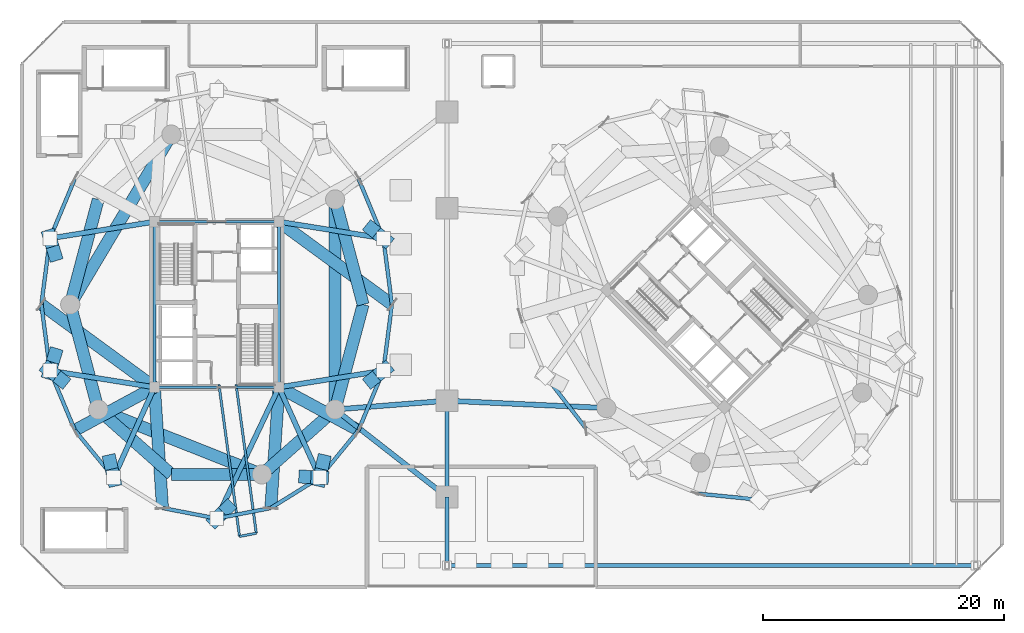
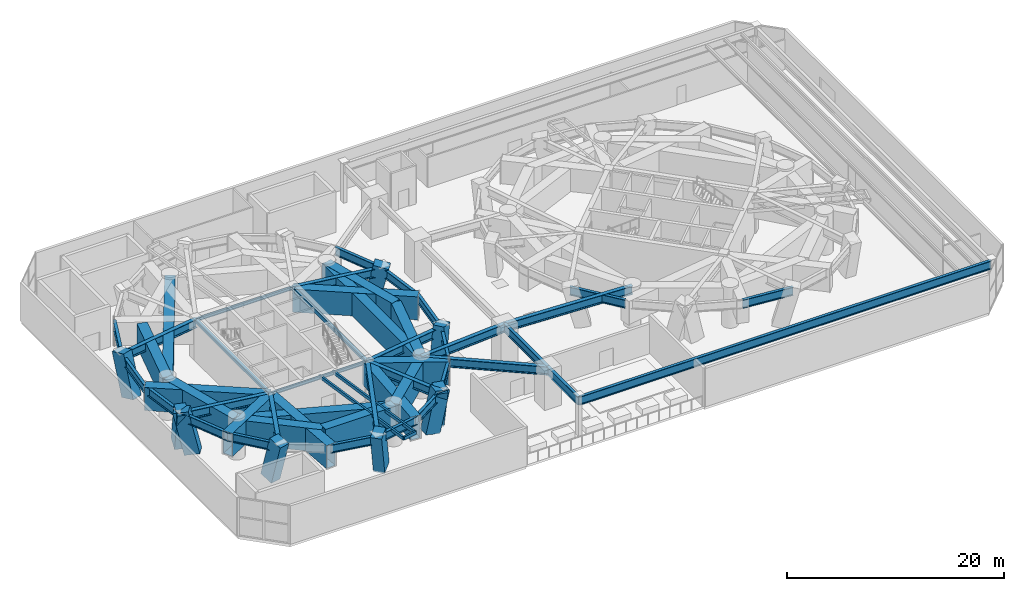
# One storey, part 4 of 25: 51 beams, 9 members.
"""IFC4 building model written with IfcOpenShell, lengths in metres."""

from ifc_helpers import new_model, si_unit, direction, frame, origin, origin_2d, place, context, subcontext, project, spatial, rectangle, hollow_rectangle, i_section, extrude, material, material_profile, profile_set, type_object, element, save


model = new_model("IFC4")

# Units and contexts
model_context = context("Model", 3, precision=1e-05, world=origin(), true_north=direction((0.0, 1.0)))
body_context = subcontext(model_context, "Body", "Model", "MODEL_VIEW")
ifc_project = project(units=[si_unit("LENGTHUNIT", "METRE"), si_unit("AREAUNIT", "SQUARE_METRE"), si_unit("VOLUMEUNIT", "CUBIC_METRE"), si_unit("PLANEANGLEUNIT", "RADIAN"), si_unit("MASSUNIT", "GRAM", prefix="KILO")], contexts=[model_context])

# Site, building, storey
site_placement = place(None, origin())
site = spatial("IfcSite", under=ifc_project, at=site_placement, CompositionType="ELEMENT")
building_placement = place(site_placement, origin())
building = spatial("IfcBuilding", under=site, at=building_placement, Name="Cununo Teusaquillo Station Towers", CompositionType="ELEMENT")
storey_placement = place(building_placement, frame((0.0, 0.0, 17.39990234375)))
storey = spatial("IfcBuildingStorey", under=building, at=storey_placement, Name="L04", CompositionType="ELEMENT", Elevation=17.39990234375)

# Beams
ifc_material_1 = material(Name="Steel EN 10025-2 S355J2", Category="steel")
ifc_material_profile_1 = material_profile(ifc_material_1, hollow_rectangle(XDim=0.199951171875, YDim=0.35009765625, WallThickness=0.013916015625, at=origin_2d()), Name="RHS 350x200x14")
ifc_profile_set_1 = profile_set([ifc_material_profile_1], Name="Steel EN 10025-2 S355J2")
beam_type_1 = type_object("IfcBeamType", Name="BM-BAL-CANT", PredefinedType="BEAM", material=ifc_profile_set_1)
beam_1_placement = place(storey_placement, frame((16.6875, 17.85009765625, 4.1650390625), z_axis=(0.1343260621, -0.990937187233, 0.0), x_axis=(0.990937187233, 0.1343260621, 0.0)))
element("IfcBeam", 1, at=beam_1_placement, inside=storey, type_object=beam_type_1, Name="L04 Tower A Balcony Cantilever Bracket 2A", PredefinedType="BEAM", context=body_context, shape_type="SweptSolid", body=[
    extrude(hollow_rectangle(XDim=0.199951171875, YDim=0.35009765625, WallThickness=0.013916015625, at=origin_2d()), origin(), (0.0, 0.0, 1.0), 12.748046875),
])
beam_2_placement = place(storey_placement, frame((18.115478515625, 17.85009765625, 4.1650390625), z_axis=(0.134333385501, -0.990936194485, 0.0), x_axis=(0.990936194485, 0.134333385501, 0.0)))
element("IfcBeam", 2, at=beam_2_placement, inside=storey, type_object=beam_type_1, Name="L04 Tower A Balcony Cantilever Bracket 2B", PredefinedType="BEAM", context=body_context, shape_type="SweptSolid", body=[
    extrude(hollow_rectangle(XDim=0.199951171875, YDim=0.35009765625, WallThickness=0.013916015625, at=origin_2d()), origin(), (0.0, 0.0, 1.0), 12.4765625),
])
ifc_material_2 = material(Name="Steel EN 10025-2 S355J2", Category="steel")
ifc_material_profile_2 = material_profile(ifc_material_2, hollow_rectangle(XDim=0.25, YDim=0.449951171875, WallThickness=0.01611328125, at=origin_2d()), Name="RHS 450x250x16")
ifc_profile_set_2 = profile_set([ifc_material_profile_2], Name="Steel EN 10025-2 S355J2")
beam_type_2 = type_object("IfcBeamType", Name="BM-COUP-1", PredefinedType="USERDEFINED", material=ifc_profile_set_2)
for number, where, z_axis, x_axis, name in (
    (3, (11.324951171875, 17.6201171875, 4.114990234375), (0.0, 1.0, 0.0), (-1.0, 0.0, 0.0), "L04 Tower A Core Beam 1"),
    (4, (21.675048828125, 17.6201171875, 4.114990234375), (0.0, 1.0, 0.0), (-1.0, 0.0, 0.0), "L04 Tower A Core Beam 2"),
):
    element("IfcBeam", number, at=place(storey_placement, frame(where, z_axis=z_axis, x_axis=x_axis)), inside=storey, type_object=beam_type_2, Name=name, ObjectType="COUPLING BEAM", PredefinedType="USERDEFINED", context=body_context, shape_type="SweptSolid", body=[
        extrude(hollow_rectangle(XDim=0.25, YDim=0.449951171875, WallThickness=0.01611328125, at=origin_2d()), origin(), (0.0, 0.0, 1.0), 13.759765625),
    ])
ifc_material_3 = material(Name="Steel ASTM A572 Grade 50", Category="steel")
ifc_material_profile_3 = material_profile(ifc_material_3, i_section(OverallWidth=0.2041015625, OverallDepth=0.35009765625, WebThickness=0.008544921875, FlangeThickness=0.01513671875, FilletRadius=0.011962890625, at=origin_2d()), Name="W14X48")
ifc_profile_set_3 = profile_set([ifc_material_profile_3], Name="Steel ASTM A572 Grade 50")
beam_type_3 = type_object("IfcBeamType", Name="BM-LINTEL-1", PredefinedType="LINTEL", material=ifc_profile_set_3)
for number, where, z_axis, x_axis, name in (
    (5, (11.324951171875, 17.6201171875, 4.1650390625), (1.0, 0.0, 0.0), (0.0, 1.0, 0.0), "L04 Tower A Core Beam 3"),
    (6, (11.324951171875, 31.3798828125, 4.1650390625), (1.0, 0.0, 0.0), (0.0, 1.0, 0.0), "L04 Tower A Core Beam 4"),
):
    element("IfcBeam", number, at=place(storey_placement, frame(where, z_axis=z_axis, x_axis=x_axis)), inside=storey, type_object=beam_type_3, Name=name, PredefinedType="LINTEL", context=body_context, shape_type="SweptSolid", body=[
        extrude(i_section(OverallWidth=0.2041015625, OverallDepth=0.35009765625, WebThickness=0.008544921875, FlangeThickness=0.01513671875, FilletRadius=0.011962890625, at=origin_2d()), origin(), (0.0, 0.0, 1.0), 10.35009765625),
    ])
ifc_material_4 = material(Name="Steel ASTM A572 Grade 50", Category="steel")
ifc_material_profile_4 = material_profile(ifc_material_4, i_section(OverallWidth=0.30810546875, OverallDepth=0.943115234375, WebThickness=0.022216796875, FlangeThickness=0.039794921875, FilletRadius=0.02392578125, at=origin_2d()), Name="W36X232")
ifc_profile_set_4 = profile_set([ifc_material_profile_4], Name="Steel ASTM A572 Grade 50")
beam_type_4 = type_object("IfcBeamType", Name="BM-POD-SEC", PredefinedType="BEAM", material=ifc_profile_set_4)
beam_3_placement = place(storey_placement, frame((31.071044921875, 24.5, 3.8681640625), z_axis=(-0.1286462709, 0.99169054497, 0.0), x_axis=(-0.99169054497, -0.1286462709, 0.0)))
element("IfcBeam", 7, at=beam_3_placement, inside=storey, type_object=beam_type_4, Name="L04 Tower A Outer Diagrid Shoe Ring Girder 01", PredefinedType="BEAM", context=body_context, shape_type="SweptSolid", body=[
    extrude(i_section(OverallWidth=0.30810546875, OverallDepth=0.943115234375, WebThickness=0.022216796875, FlangeThickness=0.039794921875, FilletRadius=0.02392578125, at=origin_2d()), origin(), (0.0, 0.0, 1.0), 5.54345703125),
])
for number, where, z_axis, x_axis, name in (
    (8, (30.35791015625, 29.997314453125, 3.8681640625), (-0.385150795909, 0.922853652759, 0.0), (-0.922853652759, -0.385150795909, 0.0), "L04 Tower A Outer Diagrid Shoe Ring Girder 02"),
    (9, (4.7119140625, 34.956787109375, 3.8681640625), (-0.385150795909, -0.922853652759, 0.0), (0.922853652759, -0.385150795909, 0.0), "L04 Tower A Outer Diagrid Shoe Ring Girder 09"),
):
    element("IfcBeam", number, at=place(storey_placement, frame(where, z_axis=z_axis, x_axis=x_axis)), inside=storey, type_object=beam_type_4, Name=name, PredefinedType="BEAM", context=body_context, shape_type="SweptSolid", body=[
        extrude(i_section(OverallWidth=0.30810546875, OverallDepth=0.943115234375, WebThickness=0.022216796875, FlangeThickness=0.039794921875, FilletRadius=0.02392578125, at=origin_2d()), origin(), (0.0, 0.0, 1.0), 5.3740234375),
    ])
for number, where, z_axis, x_axis, name in (
    (10, (2.64208984375, 29.997314453125, 3.8681640625), (-0.1286462709, -0.99169054497, 0.0), (0.99169054497, -0.1286462709, 0.0), "L04 Tower A Outer Diagrid Shoe Ring Girder 10"),
    (11, (1.928955078125, 24.5, 3.8681640625), (0.1286462709, -0.99169054497, 0.0), (0.99169054497, 0.1286462709, 0.0), "L04 Tower A Outer Diagrid Shoe Ring Girder 11"),
):
    element("IfcBeam", number, at=place(storey_placement, frame(where, z_axis=z_axis, x_axis=x_axis)), inside=storey, type_object=beam_type_4, Name=name, PredefinedType="BEAM", context=body_context, shape_type="SweptSolid", body=[
        extrude(i_section(OverallWidth=0.30810546875, OverallDepth=0.943115234375, WebThickness=0.022216796875, FlangeThickness=0.039794921875, FilletRadius=0.02392578125, at=origin_2d()), origin(), (0.0, 0.0, 1.0), 5.54345703125),
    ])
beam_4_placement = place(storey_placement, frame((2.64208984375, 19.002685546875, 3.8681640625), z_axis=(0.385150795909, -0.922853652759, 0.0), x_axis=(0.922853652759, 0.385150795909, 0.0)))
element("IfcBeam", 12, at=beam_4_placement, inside=storey, type_object=beam_type_4, Name="L04 Tower A Outer Diagrid Shoe Ring Girder 12", PredefinedType="BEAM", context=body_context, shape_type="SweptSolid", body=[
    extrude(i_section(OverallWidth=0.30810546875, OverallDepth=0.943115234375, WebThickness=0.022216796875, FlangeThickness=0.039794921875, FilletRadius=0.02392578125, at=origin_2d()), origin(), (0.0, 0.0, 1.0), 5.3740234375),
])
beam_5_placement = place(storey_placement, frame((4.7119140625, 14.043212890625, 3.8681640625), z_axis=(0.633637559371, -0.77363004295, 0.0), x_axis=(0.77363004295, 0.633637559371, 0.0)))
element("IfcBeam", 13, at=beam_5_placement, inside=storey, type_object=beam_type_4, Name="L04 Tower A Outer Diagrid Shoe Ring Girder 13", PredefinedType="BEAM", context=body_context, shape_type="SweptSolid", body=[
    extrude(i_section(OverallWidth=0.30810546875, OverallDepth=0.943115234375, WebThickness=0.022216796875, FlangeThickness=0.039794921875, FilletRadius=0.02392578125, at=origin_2d()), origin(), (0.0, 0.0, 1.0), 5.087158203125),
])
for number, where, z_axis, x_axis, name in (
    (14, (11.997314453125, 7.580810546875, 3.8681640625), (0.981805791302, -0.189887830482, 0.0), (0.189887830482, 0.981805791302, 0.0), "L04 Tower A Outer Diagrid Shoe Ring Girder 15"),
    (15, (16.5, 6.7099609375, 3.8681640625), (0.981805791302, 0.189887830482, 0.0), (-0.189887830482, 0.981805791302, 0.0), "L04 Tower A Outer Diagrid Shoe Ring Girder 16"),
):
    element("IfcBeam", number, at=place(storey_placement, frame(where, z_axis=z_axis, x_axis=x_axis)), inside=storey, type_object=beam_type_4, Name=name, PredefinedType="BEAM", context=body_context, shape_type="SweptSolid", body=[
        extrude(i_section(OverallWidth=0.30810546875, OverallDepth=0.943115234375, WebThickness=0.022216796875, FlangeThickness=0.039794921875, FilletRadius=0.02392578125, at=origin_2d()), origin(), (0.0, 0.0, 1.0), 4.586181640625),
    ])
beam_6_placement = place(storey_placement, frame((21.002685546875, 7.580810546875, 3.8681640625), z_axis=(0.849114591758, 0.528208680412, 0.0), x_axis=(-0.528208680412, 0.849114591758, 0.0)))
element("IfcBeam", 16, at=beam_6_placement, inside=storey, type_object=beam_type_4, Name="L04 Tower A Outer Diagrid Shoe Ring Girder 17", PredefinedType="BEAM", context=body_context, shape_type="SweptSolid", body=[
    extrude(i_section(OverallWidth=0.30810546875, OverallDepth=0.943115234375, WebThickness=0.022216796875, FlangeThickness=0.039794921875, FilletRadius=0.02392578125, at=origin_2d()), origin(), (0.0, 0.0, 1.0), 4.783935546875),
])
beam_7_placement = place(storey_placement, frame((25.064697265625, 10.107666015625, 3.8681640625), z_axis=(0.633637559371, 0.77363004295, 0.0), x_axis=(-0.77363004295, 0.633637559371, 0.0)))
element("IfcBeam", 17, at=beam_7_placement, inside=storey, type_object=beam_type_4, Name="L04 Tower A Outer Diagrid Shoe Ring Girder 18", PredefinedType="BEAM", context=body_context, shape_type="SweptSolid", body=[
    extrude(i_section(OverallWidth=0.30810546875, OverallDepth=0.943115234375, WebThickness=0.022216796875, FlangeThickness=0.039794921875, FilletRadius=0.02392578125, at=origin_2d()), origin(), (0.0, 0.0, 1.0), 5.087158203125),
])
beam_8_placement = place(storey_placement, frame((28.2880859375, 14.043212890625, 3.8681640625), z_axis=(0.385150795909, 0.922853652759, 0.0), x_axis=(-0.922853652759, 0.385150795909, 0.0)))
element("IfcBeam", 18, at=beam_8_placement, inside=storey, type_object=beam_type_4, Name="L04 Tower A Outer Diagrid Shoe Ring Girder 19", PredefinedType="BEAM", context=body_context, shape_type="SweptSolid", body=[
    extrude(i_section(OverallWidth=0.30810546875, OverallDepth=0.943115234375, WebThickness=0.022216796875, FlangeThickness=0.039794921875, FilletRadius=0.02392578125, at=origin_2d()), origin(), (0.0, 0.0, 1.0), 5.3740234375),
])
for number, where, z_axis, x_axis, name in (
    (19, (30.35791015625, 19.002685546875, 3.8681640625), (0.1286462709, 0.99169054497, 0.0), (-0.99169054497, 0.1286462709, 0.0), "L04 Tower A Outer Diagrid Shoe Ring Girder 20"),
    (20, (43.813720703125, 18.58837890625, 3.8681640625), (0.610266107982, -0.792196489167, 0.0), (0.792196489167, 0.610266107982, 0.0), "L04 Tower B Outer Diagrid Shoe Ring Girder 10"),
):
    element("IfcBeam", number, at=place(storey_placement, frame(where, z_axis=z_axis, x_axis=x_axis)), inside=storey, type_object=beam_type_4, Name=name, PredefinedType="BEAM", context=body_context, shape_type="SweptSolid", body=[
        extrude(i_section(OverallWidth=0.30810546875, OverallDepth=0.943115234375, WebThickness=0.022216796875, FlangeThickness=0.039794921875, FilletRadius=0.02392578125, at=origin_2d()), origin(), (0.0, 0.0, 1.0), 5.54345703125),
    ])
beam_9_placement = place(storey_placement, frame((56.55859375, 8.7705078125, 3.8681640625), z_axis=(0.995086956443, -0.0990047934, 0.0), x_axis=(0.0990047934, 0.995086956443, 0.0)))
element("IfcBeam", 21, at=beam_9_placement, inside=storey, type_object=beam_type_4, Name="L04 Tower B Outer Diagrid Shoe Ring Girder 13", PredefinedType="BEAM", context=body_context, shape_type="SweptSolid", body=[
    extrude(i_section(OverallWidth=0.30810546875, OverallDepth=0.943115234375, WebThickness=0.022216796875, FlangeThickness=0.039794921875, FilletRadius=0.02392578125, at=origin_2d()), origin(), (0.0, 0.0, 1.0), 5.087158203125),
])
beam_10_placement = place(storey_placement, frame((35.64990234375, 2.800048828125, 3.86865234375), z_axis=(0.0, 1.0, 0.0), x_axis=(-1.0, 0.0, 0.0)))
element("IfcBeam", 22, at=beam_10_placement, inside=storey, type_object=beam_type_4, Name="L04 Station Podium Girder NS-1", PredefinedType="BEAM", context=body_context, shape_type="SweptSolid", body=[
    extrude(i_section(OverallWidth=0.30810546875, OverallDepth=0.943115234375, WebThickness=0.022216796875, FlangeThickness=0.039794921875, FilletRadius=0.02392578125, at=origin_2d()), origin(), (0.0, 0.0, 1.0), 5.699951171875),
])
beam_11_placement = place(storey_placement, frame((35.64990234375, 8.5, 3.86865234375), z_axis=(0.0, 1.0, 0.0), x_axis=(-1.0, 0.0, 0.0)))
element("IfcBeam", 23, at=beam_11_placement, inside=storey, type_object=beam_type_4, Name="L04 Station Podium Girder NS-2", PredefinedType="BEAM", context=body_context, shape_type="SweptSolid", body=[
    extrude(i_section(OverallWidth=0.30810546875, OverallDepth=0.943115234375, WebThickness=0.022216796875, FlangeThickness=0.039794921875, FilletRadius=0.02392578125, at=origin_2d()), origin(), (0.0, 0.0, 1.0), 8.0),
])
beam_12_placement = place(storey_placement, frame((35.64990234375, 2.800048828125, 3.86865234375), z_axis=(1.0, 0.0, 0.0), x_axis=(0.0, 1.0, 0.0)))
element("IfcBeam", 24, at=beam_12_placement, inside=storey, type_object=beam_type_4, Name="L04 Station Podium Girder CAN-S", PredefinedType="BEAM", context=body_context, shape_type="SweptSolid", body=[
    extrude(i_section(OverallWidth=0.30810546875, OverallDepth=0.943115234375, WebThickness=0.022216796875, FlangeThickness=0.039794921875, FilletRadius=0.02392578125, at=origin_2d()), origin(), (0.0, 0.0, 1.0), 43.9501953125),
])
ifc_material_5 = material(Name="Steel ASTM A572 Grade 50", Category="steel")
ifc_material_profile_5 = material_profile(ifc_material_5, i_section(OverallWidth=0.423095703125, OverallDepth=0.947998046875, WebThickness=0.02392578125, FlangeThickness=0.042724609375, FilletRadius=0.02392578125, at=origin_2d()), Name="W36X302")
ifc_profile_set_5 = profile_set([ifc_material_profile_5], Name="Steel ASTM A572 Grade 50")
beam_type_5 = type_object("IfcBeamType", Name="BM-POD-SPAN", PredefinedType="BEAM", material=ifc_profile_set_5)
for number, where, z_axis, x_axis, name in (
    (25, (21.675048828125, 31.3798828125, 3.8662109375), (0.987559048351, -0.157248612141, 0.0), (0.157248612141, 0.987559048351, 0.0), "L04 Tower A Spandrel Support Girder V01"),
    (26, (11.324951171875, 31.3798828125, 3.8662109375), (-0.987559048351, -0.157248612141, 0.0), (0.157248612141, -0.987559048351, 0.0), "L04 Tower A Spandrel Support Girder V09"),
    (27, (11.324951171875, 17.6201171875, 3.8662109375), (-0.987559048351, 0.157248612141, 0.0), (-0.157248612141, -0.987559048351, 0.0), "L04 Tower A Spandrel Support Girder V11"),
):
    element("IfcBeam", number, at=place(storey_placement, frame(where, z_axis=z_axis, x_axis=x_axis)), inside=storey, type_object=beam_type_5, Name=name, PredefinedType="BEAM", context=body_context, shape_type="SweptSolid", body=[
        extrude(i_section(OverallWidth=0.423095703125, OverallDepth=0.947998046875, WebThickness=0.02392578125, FlangeThickness=0.042724609375, FilletRadius=0.02392578125, at=origin_2d()), origin(), (0.0, 0.0, 1.0), 8.792236328125),
    ])
beam_13_placement = place(storey_placement, frame((11.324951171875, 17.6201171875, 3.8662109375), z_axis=(-0.41127716143, -0.911510338113, 0.0), x_axis=(0.911510338113, -0.41127716143, 0.0)))
element("IfcBeam", 28, at=beam_13_placement, inside=storey, type_object=beam_type_5, Name="L04 Tower A Spandrel Support Girder V13", PredefinedType="BEAM", context=body_context, shape_type="SweptSolid", body=[
    extrude(i_section(OverallWidth=0.423095703125, OverallDepth=0.947998046875, WebThickness=0.02392578125, FlangeThickness=0.042724609375, FilletRadius=0.02392578125, at=origin_2d()), origin(), (0.0, 0.0, 1.0), 8.24169921875),
])
beam_14_placement = place(storey_placement, frame((21.675048828125, 17.6201171875, 3.8662109375), z_axis=(-0.428565163203, -0.903510874804, 0.0), x_axis=(0.903510874804, -0.428565163203, 0.0)))
element("IfcBeam", 29, at=beam_14_placement, inside=storey, type_object=beam_type_5, Name="L04 Tower A Spandrel Support Girder V15", PredefinedType="BEAM", context=body_context, shape_type="SweptSolid", body=[
    extrude(i_section(OverallWidth=0.423095703125, OverallDepth=0.947998046875, WebThickness=0.02392578125, FlangeThickness=0.042724609375, FilletRadius=0.02392578125, at=origin_2d()), origin(), (0.0, 0.0, 1.0), 12.0751953125),
])
beam_15_placement = place(storey_placement, frame((21.675048828125, 17.6201171875, 3.8662109375), z_axis=(0.41127716143, -0.911510338113, 0.0), x_axis=(0.911510338113, 0.41127716143, 0.0)))
element("IfcBeam", 30, at=beam_15_placement, inside=storey, type_object=beam_type_5, Name="L04 Tower A Spandrel Support Girder V17", PredefinedType="BEAM", context=body_context, shape_type="SweptSolid", body=[
    extrude(i_section(OverallWidth=0.423095703125, OverallDepth=0.947998046875, WebThickness=0.02392578125, FlangeThickness=0.042724609375, FilletRadius=0.02392578125, at=origin_2d()), origin(), (0.0, 0.0, 1.0), 8.24169921875),
])
beam_16_placement = place(storey_placement, frame((21.675048828125, 17.6201171875, 3.8662109375), z_axis=(0.987559048351, 0.157248612141, 0.0), x_axis=(-0.157248612141, 0.987559048351, 0.0)))
element("IfcBeam", 31, at=beam_16_placement, inside=storey, type_object=beam_type_5, Name="L04 Tower A Spandrel Support Girder V19", PredefinedType="BEAM", context=body_context, shape_type="SweptSolid", body=[
    extrude(i_section(OverallWidth=0.423095703125, OverallDepth=0.947998046875, WebThickness=0.02392578125, FlangeThickness=0.042724609375, FilletRadius=0.02392578125, at=origin_2d()), origin(), (0.0, 0.0, 1.0), 8.792236328125),
])
beam_17_placement = place(storey_placement, frame((26.347412109375, 15.771484375, 3.8662109375), z_axis=(0.787863531103, -0.615849865112, 0.0), x_axis=(0.615849865112, 0.787863531103, 0.0)))
element("IfcBeam", 32, at=beam_17_placement, inside=storey, type_object=beam_type_5, Name="L04 Station Podium Girder EW-S", PredefinedType="BEAM", context=body_context, shape_type="SweptSolid", body=[
    extrude(i_section(OverallWidth=0.423095703125, OverallDepth=0.947998046875, WebThickness=0.02392578125, FlangeThickness=0.042724609375, FilletRadius=0.02392578125, at=origin_2d()), origin(), (0.0, 0.0, 1.0), 11.80712890625),
])
beam_18_placement = place(storey_placement, frame((26.347412109375, 15.771484375, 3.8662109375), z_axis=(0.996947489132, 0.078074989045, 0.0), x_axis=(-0.078074989045, 0.996947489132, 0.0)))
element("IfcBeam", 33, at=beam_18_placement, inside=storey, type_object=beam_type_5, Name="L04 Station Podium Girder EW-M1", PredefinedType="BEAM", context=body_context, shape_type="SweptSolid", body=[
    extrude(i_section(OverallWidth=0.423095703125, OverallDepth=0.947998046875, WebThickness=0.02392578125, FlangeThickness=0.042724609375, FilletRadius=0.02392578125, at=origin_2d()), origin(), (0.0, 0.0, 1.0), 9.3310546875),
])
beam_19_placement = place(storey_placement, frame((35.64990234375, 16.5, 3.8662109375), z_axis=(0.998951459145, -0.045781898965, 0.0), x_axis=(0.045781898965, 0.998951459145, 0.0)))
element("IfcBeam", 34, at=beam_19_placement, inside=storey, type_object=beam_type_5, Name="L04 Station Podium Girder EW-M3", PredefinedType="BEAM", context=body_context, shape_type="SweptSolid", body=[
    extrude(i_section(OverallWidth=0.423095703125, OverallDepth=0.947998046875, WebThickness=0.02392578125, FlangeThickness=0.042724609375, FilletRadius=0.02392578125, at=origin_2d()), origin(), (0.0, 0.0, 1.0), 13.257080078125),
])
ifc_material_6 = material(Name="Steel EN 10025-2 S355J2", Category="steel")
ifc_material_profile_6 = material_profile(ifc_material_6, hollow_rectangle(XDim=0.199951171875, YDim=0.35009765625, WallThickness=0.013916015625, at=origin_2d()), Name="RHS 350x200x14")
ifc_profile_set_6 = profile_set([ifc_material_profile_6], Name="Steel EN 10025-2 S355J2")
beam_type_6 = type_object("IfcBeamType", Name="BM-STAIR-TRIM", PredefinedType="BEAM", material=ifc_profile_set_6)
beam_20_placement = place(storey_placement, frame((18.39990234375, 5.217529296875, 4.215087890625), z_axis=(0.981819220437, 0.189818382618, 0.0), x_axis=(-0.189818382618, 0.981819220437, 0.0)))
element("IfcBeam", 35, at=beam_20_placement, inside=storey, type_object=beam_type_6, Name="L04 Tower A Balcony Edge Trimmer Beam 2", PredefinedType="BEAM", context=body_context, shape_type="SweptSolid", body=[
    extrude(hollow_rectangle(XDim=0.199951171875, YDim=0.35009765625, WallThickness=0.013916015625, at=origin_2d()), origin(), (0.0, 0.0, 1.0), 1.41748046875),
])
ifc_material_7 = material(Name="Steel ASTM A572 Grade 50", Category="steel")
ifc_material_profile_7 = material_profile(ifc_material_7, hollow_rectangle(XDim=1.0, YDim=2.60009765625, WallThickness=0.054931640625, at=origin_2d()), Name="BOX 2600x1000x55")
ifc_profile_set_7 = profile_set([ifc_material_profile_7], Name="Steel ASTM A572 Grade 50")
beam_type_7 = type_object("IfcBeamType", Name="BM-XFER-POD", PredefinedType="USERDEFINED", material=ifc_profile_set_7)
beam_21_placement = place(storey_placement, frame((26.347412109375, 15.771484375, 3.025146484375), z_axis=(0.0, 1.0, 0.0), x_axis=(-1.0, 0.0, 0.0)))
element("IfcBeam", 36, at=beam_21_placement, inside=storey, type_object=beam_type_7, Name="L04 Tower A Primary Column-to-Column Transfer Girder 01", ObjectType="TRANSFER GIRDER", PredefinedType="USERDEFINED", context=body_context, shape_type="SweptSolid", body=[
    extrude(hollow_rectangle(XDim=1.0, YDim=2.60009765625, WallThickness=0.054931640625, at=origin_2d()), origin(), (0.0, 0.0, 1.0), 17.45703125),
])
beam_22_placement = place(storey_placement, frame((12.738525390625, 38.623291015625, 3.025146484375), z_axis=(-0.511660099054, -0.859187955593, 0.0), x_axis=(0.859187955593, -0.511660099054, 0.0)))
element("IfcBeam", 37, at=beam_22_placement, inside=storey, type_object=beam_type_7, Name="L04 Tower A Primary Column-to-Column Transfer Girder 03", ObjectType="TRANSFER GIRDER", PredefinedType="USERDEFINED", context=body_context, shape_type="SweptSolid", body=[
    extrude(hollow_rectangle(XDim=1.0, YDim=2.60009765625, WallThickness=0.054931640625, at=origin_2d()), origin(), (0.0, 0.0, 1.0), 16.43798828125),
])
beam_23_placement = place(storey_placement, frame((6.652587890625, 15.771484375, 3.025146484375), z_axis=(0.929621249939, -0.368516392664, 0.0), x_axis=(0.368516392664, 0.929621249939, 0.0)))
element("IfcBeam", 38, at=beam_23_placement, inside=storey, type_object=beam_type_7, Name="L04 Tower A Primary Column-to-Column Transfer Girder 04", ObjectType="TRANSFER GIRDER", PredefinedType="USERDEFINED", context=body_context, shape_type="SweptSolid", body=[
    extrude(hollow_rectangle(XDim=1.0, YDim=2.60009765625, WallThickness=0.054931640625, at=origin_2d()), origin(), (0.0, 0.0, 1.0), 14.63916015625),
])
for number, where, z_axis, x_axis, name in (
    (39, (26.347412109375, 15.771484375, 3.0400390625), (0.257363196347, 0.966314744359, 0.0), (-0.966314744359, 0.257363196347, 0.0), "L04 Tower A Perimeter Transfer Girder 01"),
    (40, (28.672119140625, 24.5, 3.0400390625), (-0.257363196347, 0.966314744359, 0.0), (-0.966314744359, -0.257363196347, 0.0), "L04 Tower A Perimeter Transfer Girder 02"),
    (41, (6.652587890625, 33.228515625, 3.0400390625), (-0.257363196347, -0.966314744359, 0.0), (0.966314744359, -0.257363196347, 0.0), "L04 Tower A Perimeter Transfer Girder 06"),
    (42, (4.327880859375, 24.5, 3.0400390625), (0.257363196347, -0.966314744359, 0.0), (0.966314744359, 0.257363196347, 0.0), "L04 Tower A Perimeter Transfer Girder 07"),
):
    element("IfcBeam", number, at=place(storey_placement, frame(where, z_axis=z_axis, x_axis=x_axis)), inside=storey, type_object=beam_type_7, Name=name, ObjectType="TRANSFER GIRDER", PredefinedType="USERDEFINED", context=body_context, shape_type="SweptSolid", body=[
        extrude(hollow_rectangle(XDim=1.0, YDim=2.60009765625, WallThickness=0.054931640625, at=origin_2d()), origin(), (0.0, 0.0, 1.0), 9.03271484375),
    ])
beam_24_placement = place(storey_placement, frame((6.652587890625, 15.771484375, 3.0400390625), z_axis=(0.74832120039, -0.66333655187, 0.0), x_axis=(0.66333655187, 0.74832120039, 0.0)))
element("IfcBeam", 43, at=beam_24_placement, inside=storey, type_object=beam_type_7, Name="L04 Tower A Perimeter Transfer Girder 08", ObjectType="TRANSFER GIRDER", PredefinedType="USERDEFINED", context=body_context, shape_type="SweptSolid", body=[
    extrude(hollow_rectangle(XDim=1.0, YDim=2.60009765625, WallThickness=0.054931640625, at=origin_2d()), origin(), (0.0, 0.0, 1.0), 8.1328125),
])
beam_25_placement = place(storey_placement, frame((12.738525390625, 10.376708984375, 3.0400390625), z_axis=(1.0, 0.0, 0.0), x_axis=(0.0, 1.0, 0.0)))
element("IfcBeam", 44, at=beam_25_placement, inside=storey, type_object=beam_type_7, Name="L04 Tower A Perimeter Transfer Girder 09", ObjectType="TRANSFER GIRDER", PredefinedType="USERDEFINED", context=body_context, shape_type="SweptSolid", body=[
    extrude(hollow_rectangle(XDim=1.0, YDim=2.60009765625, WallThickness=0.054931640625, at=origin_2d()), origin(), (0.0, 0.0, 1.0), 7.52294921875),
])
beam_26_placement = place(storey_placement, frame((20.261474609375, 10.376708984375, 3.0400390625), z_axis=(0.74832120039, 0.66333655187, 0.0), x_axis=(-0.66333655187, 0.74832120039, 0.0)))
element("IfcBeam", 45, at=beam_26_placement, inside=storey, type_object=beam_type_7, Name="L04 Tower A Perimeter Transfer Girder 10", ObjectType="TRANSFER GIRDER", PredefinedType="USERDEFINED", context=body_context, shape_type="SweptSolid", body=[
    extrude(hollow_rectangle(XDim=1.0, YDim=2.60009765625, WallThickness=0.054931640625, at=origin_2d()), origin(), (0.0, 0.0, 1.0), 8.1328125),
])
for number, where, z_axis, x_axis, name in (
    (46, (21.675048828125, 31.3798828125, 3.0400390625), (0.806835339702, -0.590776382913, 0.0), (0.590776382913, 0.806835339702, 0.0), "L04 Tower A Radial Transfer Girder 01"),
    (47, (11.324951171875, 17.6201171875, 3.0400390625), (-0.806835339702, 0.590776382913, 0.0), (-0.590776382913, -0.806835339702, 0.0), "L04 Tower A Radial Transfer Girder 06"),
):
    element("IfcBeam", number, at=place(storey_placement, frame(where, z_axis=z_axis, x_axis=x_axis)), inside=storey, type_object=beam_type_7, Name=name, ObjectType="TRANSFER GIRDER", PredefinedType="USERDEFINED", context=body_context, shape_type="SweptSolid", body=[
        extrude(hollow_rectangle(XDim=1.0, YDim=2.60009765625, WallThickness=0.054931640625, at=origin_2d()), origin(), (0.0, 0.0, 1.0), 11.6455078125),
    ])
beam_27_placement = place(storey_placement, frame((11.324951171875, 17.6201171875, 3.0400390625), z_axis=(-0.879579088989, -0.475752694384, 0.0), x_axis=(0.475752694384, -0.879579088989, 0.0)))
element("IfcBeam", 48, at=beam_27_placement, inside=storey, type_object=beam_type_7, Name="L04 Tower A Radial Transfer Girder 07", ObjectType="TRANSFER GIRDER", PredefinedType="USERDEFINED", context=body_context, shape_type="SweptSolid", body=[
    extrude(hollow_rectangle(XDim=1.0, YDim=2.60009765625, WallThickness=0.054931640625, at=origin_2d()), origin(), (0.0, 0.0, 1.0), 7.518310546875),
])
for number, where, z_axis, x_axis, name in (
    (49, (11.324951171875, 17.6201171875, 3.0400390625), (0.066823382544, -0.997764819757, 0.0), (0.997764819757, 0.066823382544, 0.0), "L04 Tower A Radial Transfer Girder 08"),
    (50, (21.675048828125, 17.6201171875, 3.0400390625), (-0.066823382544, -0.997764819757, 0.0), (0.997764819757, -0.066823382544, 0.0), "L04 Tower A Radial Transfer Girder 09"),
):
    element("IfcBeam", number, at=place(storey_placement, frame(where, z_axis=z_axis, x_axis=x_axis)), inside=storey, type_object=beam_type_7, Name=name, ObjectType="TRANSFER GIRDER", PredefinedType="USERDEFINED", context=body_context, shape_type="SweptSolid", body=[
        extrude(hollow_rectangle(XDim=1.0, YDim=2.60009765625, WallThickness=0.054931640625, at=origin_2d()), origin(), (0.0, 0.0, 1.0), 10.061767578125),
    ])
beam_28_placement = place(storey_placement, frame((21.675048828125, 17.6201171875, 3.0400390625), z_axis=(0.879579088989, -0.475752694384, 0.0), x_axis=(0.475752694384, 0.879579088989, 0.0)))
element("IfcBeam", 51, at=beam_28_placement, inside=storey, type_object=beam_type_7, Name="L04 Tower A Radial Transfer Girder 10", ObjectType="TRANSFER GIRDER", PredefinedType="USERDEFINED", context=body_context, shape_type="SweptSolid", body=[
    extrude(hollow_rectangle(XDim=1.0, YDim=2.60009765625, WallThickness=0.054931640625, at=origin_2d()), origin(), (0.0, 0.0, 1.0), 7.518310546875),
])

# Members
ifc_material_8 = material(Name="Concrete C60/75", Category="concrete")
ifc_material_profile_8 = material_profile(ifc_material_8, rectangle(XDim=1.10009765625, YDim=1.5, at=origin_2d()), Name="RC-RECT-1500x1100")
ifc_profile_set_8 = profile_set([ifc_material_profile_8], Name="Concrete C60/75")
member_type = type_object("IfcMemberType", Name="MBR-VFOOT", PredefinedType="USERDEFINED", material=ifc_profile_set_8)
member_1_placement = place(storey_placement, frame((29.519287109375, 30.673095703125, 0.0), z_axis=(0.177505273519, -0.143037728414, 0.973669392619), x_axis=(0.62745554656, 0.778652385273, 0.0)))
element("IfcMember", 52, at=member_1_placement, inside=storey, type_object=member_type, Name="L04 Tower A Sloping Concrete V-Foot V02L", ObjectType="V FOOT STRUT", PredefinedType="USERDEFINED", context=body_context, shape_type="SweptSolid", body=[
    extrude(rectangle(XDim=1.10009765625, YDim=1.5, at=origin_2d()), origin(), (0.0, 0.0, 1.0), 4.724609375),
])
for number, where, z_axis, x_axis, name in (
    (53, (2.99462890625, 28.847900390625, 0.0), (-0.074146757968, 0.241747185952, 0.96750222551), (-0.956042064239, -0.293229554112, 0.0), "L04 Tower A Sloping Concrete V-Foot V10L"),
    (54, (2.99462890625, 20.152099609375, 0.0), (-0.074146757968, -0.241747185952, 0.96750222551), (0.956042064239, -0.293229554112, 0.0), "L04 Tower A Sloping Concrete V-Foot V10R"),
):
    element("IfcMember", number, at=place(storey_placement, frame(where, z_axis=z_axis, x_axis=x_axis)), inside=storey, type_object=member_type, Name=name, ObjectType="V FOOT STRUT", PredefinedType="USERDEFINED", context=body_context, shape_type="SweptSolid", body=[
        extrude(rectangle(XDim=1.10009765625, YDim=1.5, at=origin_2d()), origin(), (0.0, 0.0, 1.0), 4.754638671875),
    ])
member_2_placement = place(storey_placement, frame((3.480712890625, 18.326904296875, 0.0), z_axis=(-0.177505273519, 0.143037728414, 0.973669392619), x_axis=(-0.62745554656, -0.778652385273, 0.0)))
element("IfcMember", 55, at=member_2_placement, inside=storey, type_object=member_type, Name="L04 Tower A Sloping Concrete V-Foot V12L", ObjectType="V FOOT STRUT", PredefinedType="USERDEFINED", context=body_context, shape_type="SweptSolid", body=[
    extrude(rectangle(XDim=1.10009765625, YDim=1.5, at=origin_2d()), origin(), (0.0, 0.0, 1.0), 4.724609375),
])
member_3_placement = place(storey_placement, frame((7.667236328125, 11.291748046875, 0.0), z_axis=(0.056344818178, -0.248881938217, 0.966893501009), x_axis=(0.975318201866, 0.220803997041, 0.0)))
element("IfcMember", 56, at=member_3_placement, inside=storey, type_object=member_type, Name="L04 Tower A Sloping Concrete V-Foot V12R", ObjectType="V FOOT STRUT", PredefinedType="USERDEFINED", context=body_context, shape_type="SweptSolid", body=[
    extrude(rectangle(XDim=1.10009765625, YDim=1.5, at=origin_2d()), origin(), (0.0, 0.0, 1.0), 4.757568359375),
])
member_4_placement = place(storey_placement, frame((17.28662109375, 7.476806640625, 0.0), z_axis=(-0.166323913492, -0.162142586058, 0.972649031042), x_axis=(0.698048865131, -0.716050125263, 0.0)))
element("IfcMember", 57, at=member_4_placement, inside=storey, type_object=member_type, Name="L04 Tower A Sloping Concrete V-Foot V16L", ObjectType="V FOOT STRUT", PredefinedType="USERDEFINED", context=body_context, shape_type="SweptSolid", body=[
    extrude(rectangle(XDim=1.10009765625, YDim=1.5, at=origin_2d()), origin(), (0.0, 0.0, 1.0), 4.7294921875),
])
member_5_placement = place(storey_placement, frame((24.060302734375, 10.163818359375, 0.0), z_axis=(0.213301290439, -0.011924962762, 0.976913688491), x_axis=(0.055819494801, 0.998440876567, 0.0)))
element("IfcMember", 58, at=member_5_placement, inside=storey, type_object=member_type, Name="L04 Tower A Sloping Concrete V-Foot V16R", ObjectType="V FOOT STRUT", PredefinedType="USERDEFINED", context=body_context, shape_type="SweptSolid", body=[
    extrude(rectangle(XDim=1.10009765625, YDim=1.5, at=origin_2d()), origin(), (0.0, 0.0, 1.0), 4.708740234375),
])
member_6_placement = place(storey_placement, frame((25.332763671875, 11.291748046875, 0.0), z_axis=(-0.056344818178, -0.248881938217, 0.966893501009), x_axis=(0.975318201866, -0.220803997041, 0.0)))
element("IfcMember", 59, at=member_6_placement, inside=storey, type_object=member_type, Name="L04 Tower A Sloping Concrete V-Foot V18L", ObjectType="V FOOT STRUT", PredefinedType="USERDEFINED", context=body_context, shape_type="SweptSolid", body=[
    extrude(rectangle(XDim=1.10009765625, YDim=1.5, at=origin_2d()), origin(), (0.0, 0.0, 1.0), 4.757568359375),
])
member_7_placement = place(storey_placement, frame((29.519287109375, 18.326904296875, 0.0), z_axis=(0.177505273519, 0.143037728414, 0.973669392619), x_axis=(-0.62745554656, 0.778652385273, 0.0)))
element("IfcMember", 60, at=member_7_placement, inside=storey, type_object=member_type, Name="L04 Tower A Sloping Concrete V-Foot V18R", ObjectType="V FOOT STRUT", PredefinedType="USERDEFINED", context=body_context, shape_type="SweptSolid", body=[
    extrude(rectangle(XDim=1.10009765625, YDim=1.5, at=origin_2d()), origin(), (0.0, 0.0, 1.0), 4.724609375),
])

save(model, "model.ifc")
